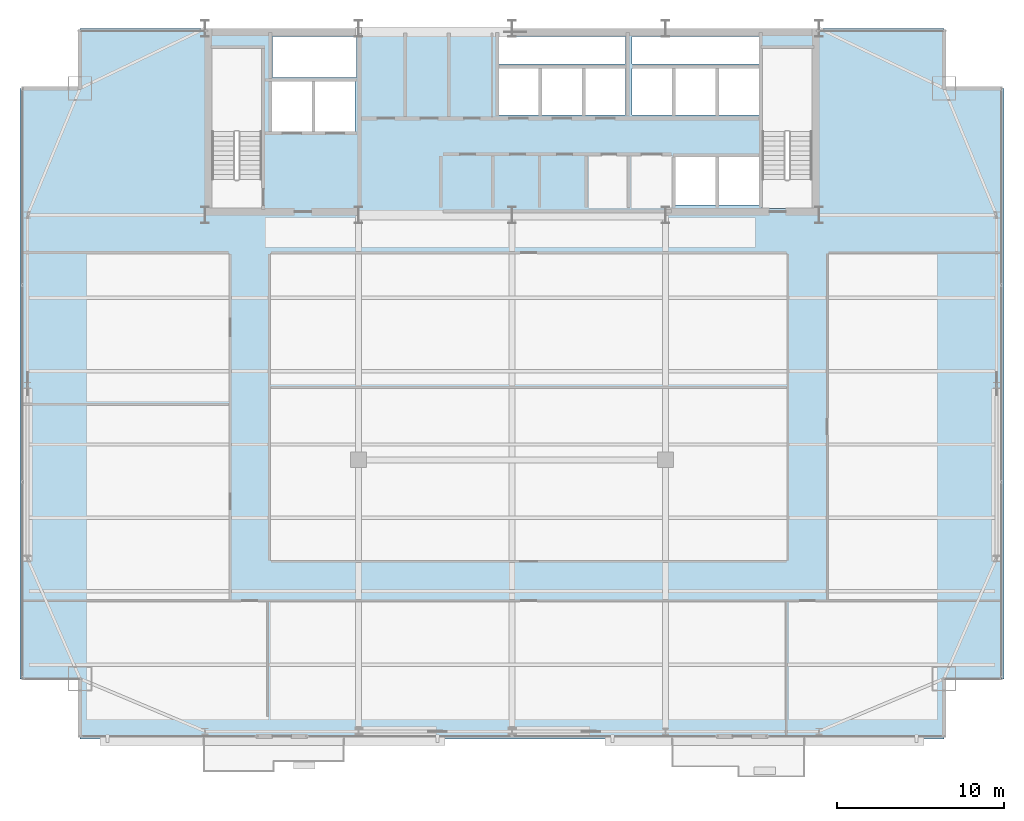
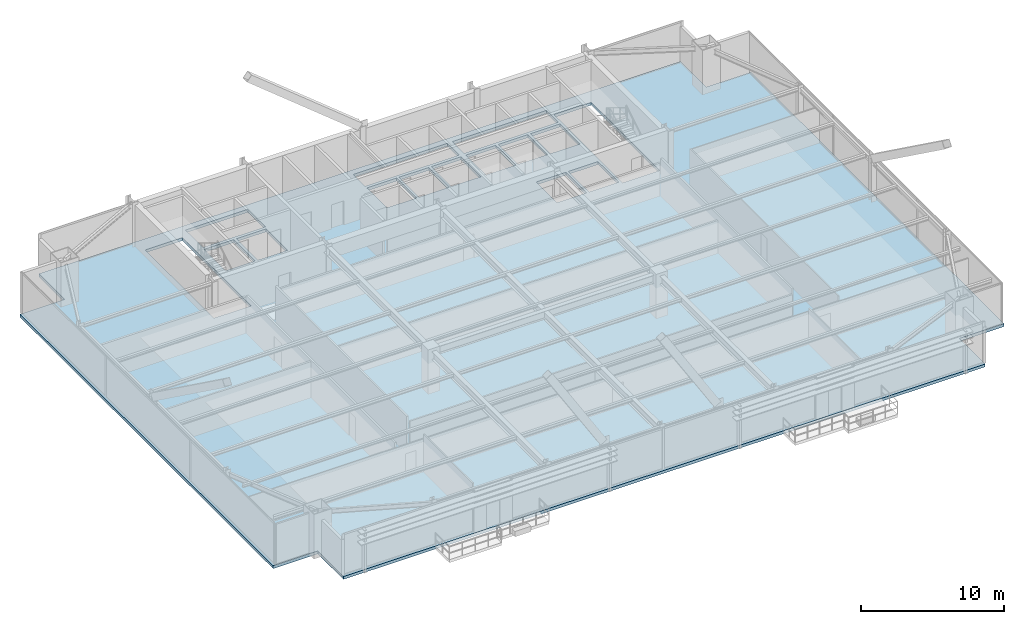
# One storey, part 28 of 37: 1 slab.
"""IFC4 building model written with IfcOpenShell, lengths in metres."""

from ifc_helpers import new_model, si_unit, direction, frame, origin, place, context, subcontext, project, spatial, polyline, outline, extrude, material, layer, layer_set, type_object, element, save


model = new_model("IFC4")

# Units and contexts
model_context = context("Model", 3, precision=1e-05, world=origin(), true_north=direction((0.0, 1.0)))
body_context = subcontext(model_context, "Body", "Model", "MODEL_VIEW")
ifc_project = project(units=[si_unit("LENGTHUNIT", "METRE"), si_unit("AREAUNIT", "SQUARE_METRE"), si_unit("VOLUMEUNIT", "CUBIC_METRE"), si_unit("PLANEANGLEUNIT", "RADIAN"), si_unit("MASSUNIT", "GRAM", prefix="KILO")], contexts=[model_context])

# Site, building, storey
site_placement = place(None, origin())
site = spatial("IfcSite", under=ifc_project, at=site_placement, CompositionType="ELEMENT")
building_placement = place(site_placement, origin())
building = spatial("IfcBuilding", under=site, at=building_placement, Name="Varnel Quay Broadcast Tower", CompositionType="ELEMENT")
storey_placement = place(building_placement, frame((0.0, 0.0, 106.800048828125)))
storey = spatial("IfcBuildingStorey", under=building, at=storey_placement, Name="L25", CompositionType="ELEMENT", Elevation=106.800048828125)

# Slab
ifc_material = material(Name="Concrete CSA A23.3 C50/60", Category="concrete")
ifc_layer = layer(ifc_material, 0.25, Name="Concrete CSA A23.3 C50/60")
ifc_layer_set = layer_set([ifc_layer], Name="Concrete CSA A23.3 C50/60")
slab_type = type_object("IfcSlabType", Name="Slab_Floor250", PredefinedType="FLOOR", material=ifc_layer_set)
slab_placement = place(storey_placement, frame((0.0, 0.0, -0.25)))
element("IfcSlab", 1, at=slab_placement, inside=storey, type_object=slab_type, Name="L25 Structural Slab", PredefinedType="FLOOR", context=body_context, shape_type="SweptSolid", body=[
    extrude(outline(polyline([(8.10009765625, 4.199951171875), (59.89990234375, 4.199951171875), (59.89990234375, 7.800048828125), (63.5, 7.800048828125), (63.5, 43.199951171875), (59.89990234375, 43.199951171875), (59.89990234375, 46.800048828125), (8.10009765625, 46.800048828125), (8.10009765625, 43.199951171875), (4.5, 43.199951171875), (4.5, 7.800048828125), (8.10009765625, 7.800048828125), (8.10009765625, 4.199951171875)]), holes=[polyline([(19.0, 36.0), (16.0, 36.0), (16.0, 45.60009765625), (19.0, 45.60009765625), (19.0, 36.0)]), polyline([(19.60009765625, 43.60009765625), (22.0, 43.60009765625), (22.0, 40.60009765625), (19.60009765625, 40.60009765625), (19.60009765625, 43.60009765625)]), polyline([(22.199951171875, 43.60009765625), (24.60009765625, 43.60009765625), (24.60009765625, 40.60009765625), (22.199951171875, 40.60009765625), (22.199951171875, 43.60009765625)]), polyline([(33.199951171875, 44.39990234375), (35.60009765625, 44.39990234375), (35.60009765625, 41.60009765625), (33.199951171875, 41.60009765625), (33.199951171875, 44.39990234375)]), polyline([(35.800048828125, 44.39990234375), (38.199951171875, 44.39990234375), (38.199951171875, 41.60009765625), (35.800048828125, 41.60009765625), (35.800048828125, 44.39990234375)]), polyline([(38.39990234375, 44.39990234375), (40.800048828125, 44.39990234375), (40.800048828125, 41.60009765625), (38.39990234375, 41.60009765625), (38.39990234375, 44.39990234375)]), polyline([(19.64990234375, 46.300048828125), (24.679931640625, 46.300048828125), (24.679931640625, 43.85009765625), (19.64990234375, 43.85009765625), (19.64990234375, 46.300048828125)]), polyline([(33.199951171875, 46.300048828125), (40.800048828125, 46.300048828125), (40.800048828125, 44.64990234375), (33.199951171875, 44.64990234375), (33.199951171875, 46.300048828125)]), polyline([(43.800048828125, 39.10009765625), (46.199951171875, 39.10009765625), (46.199951171875, 36.199951171875), (43.800048828125, 36.199951171875), (43.800048828125, 39.10009765625)]), polyline([(46.39990234375, 39.10009765625), (48.800048828125, 39.10009765625), (48.800048828125, 36.199951171875), (46.39990234375, 36.199951171875), (46.39990234375, 39.10009765625)]), polyline([(49.0, 36.0), (49.0, 45.60009765625), (52.0, 45.60009765625), (52.0, 36.0), (49.0, 36.0)]), polyline([(41.199951171875, 44.39990234375), (43.60009765625, 44.39990234375), (43.60009765625, 41.60009765625), (41.199951171875, 41.60009765625), (41.199951171875, 44.39990234375)]), polyline([(43.800048828125, 44.39990234375), (46.199951171875, 44.39990234375), (46.199951171875, 41.60009765625), (43.800048828125, 41.60009765625), (43.800048828125, 44.39990234375)]), polyline([(46.39990234375, 44.39990234375), (48.800048828125, 44.39990234375), (48.800048828125, 41.60009765625), (46.39990234375, 41.60009765625), (46.39990234375, 44.39990234375)]), polyline([(41.199951171875, 46.300048828125), (48.800048828125, 46.300048828125), (48.800048828125, 44.64990234375), (41.199951171875, 44.64990234375), (41.199951171875, 46.300048828125)])]), origin(), (0.0, 0.0, 1.0), 0.25),
])

save(model, "model.ifc")
